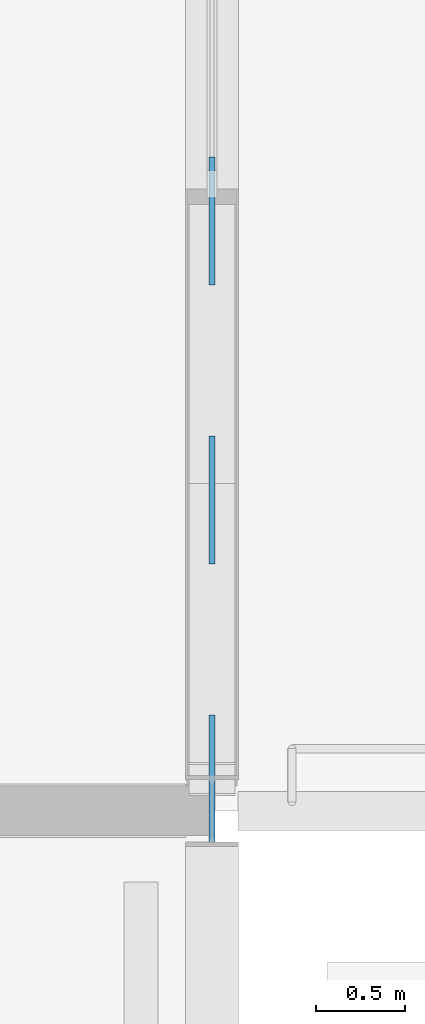
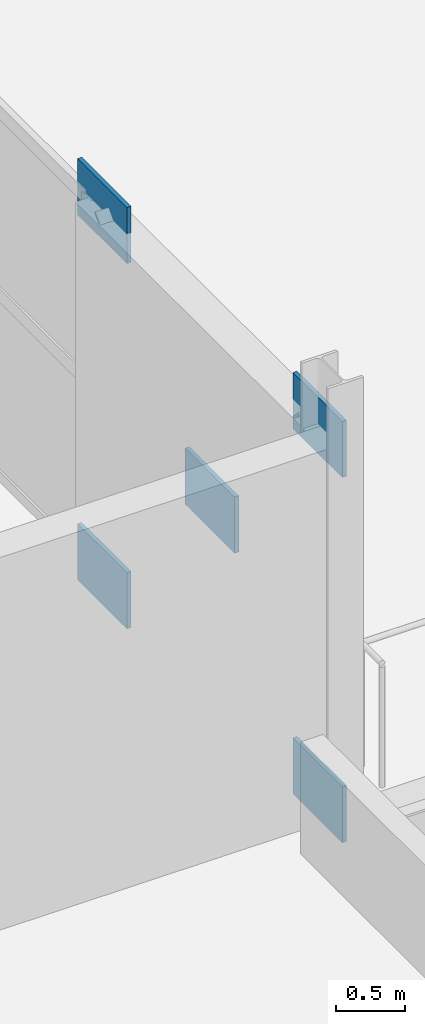
# One storey, part 28 of 36: 5 plates.
"""IFC4 building model written with IfcOpenShell, lengths in metres."""

from ifc_helpers import new_model, si_unit, direction, frame, origin, origin_2d, place, context, subcontext, project, spatial, rectangle, extrude, material, layer, layer_set, type_object, element, save


model = new_model("IFC4")

# Units and contexts
model_context = context("Model", 3, precision=1e-05, world=origin(), true_north=direction((0.0, 1.0)))
body_context = subcontext(model_context, "Body", "Model", "MODEL_VIEW")
ifc_project = project(units=[si_unit("LENGTHUNIT", "METRE"), si_unit("AREAUNIT", "SQUARE_METRE"), si_unit("VOLUMEUNIT", "CUBIC_METRE"), si_unit("PLANEANGLEUNIT", "RADIAN"), si_unit("MASSUNIT", "GRAM", prefix="KILO")], contexts=[model_context])

# Site, building, storey
site_placement = place(None, origin())
site = spatial("IfcSite", under=ifc_project, at=site_placement, CompositionType="ELEMENT")
building_placement = place(site_placement, origin())
building = spatial("IfcBuilding", under=site, at=building_placement, Name="Kimbaza Rail Terminus", CompositionType="ELEMENT")
storey_placement = place(building_placement, frame((0.0, 0.0, 21.0)))
storey = spatial("IfcBuildingStorey", under=building, at=storey_placement, Name="L04", CompositionType="ELEMENT", Elevation=21.0)

# Plates
ifc_material = material(Name="Steel S355", Category="steel")
ifc_layer = layer(ifc_material, 0.034912109375)
ifc_layer_set = layer_set([ifc_layer], Name="Steel S355")
plate_type = type_object("IfcPlateType", Name="STR-PL-WT01", PredefinedType="USERDEFINED", material=ifc_layer_set)
for number, where, z_axis, x_axis, name in (
    (1, (139.199951171875, 103.179931640625, -0.199951171875), (0.0, 0.0, 1.0), (1.0, 0.0, 0.0), "X-Brace Gusset Plate GP-01 2-SB"),
    (2, (139.199951171875, 103.179931640625, 3.050048828125), (0.0, 0.0, 1.0), (1.0, 0.0, 0.0), "X-Brace Gusset Plate GP-01 2-ST"),
    (3, (139.199951171875, 106.320068359375, -0.199951171875), (0.0, 0.0, 1.0), (1.0, 0.0, 0.0), "X-Brace Gusset Plate GP-01 2-NB"),
    (4, (139.199951171875, 106.320068359375, 3.050048828125), (0.0, 0.0, 1.0), (1.0, 0.0, 0.0), "X-Brace Gusset Plate GP-01 2-NT"),
    (5, (139.199951171875, 104.75, 1.425048828125), (0.0, 0.0, 1.0), (1.0, 0.0, 0.0), "X-Brace Gusset Plate GP-01 2-C"),
):
    element("IfcPlate", number, at=place(storey_placement, frame(where, z_axis=z_axis, x_axis=x_axis)), inside=storey, type_object=plate_type, Name=name, ObjectType="GUSSET PLATE", PredefinedType="USERDEFINED", context=body_context, shape_type="SweptSolid", body=[
        extrude(rectangle(XDim=0.034912109375, YDim=0.719970703125, at=origin_2d()), origin(), (0.0, 0.0, 1.0), 0.5),
    ])

save(model, "model.ifc")
